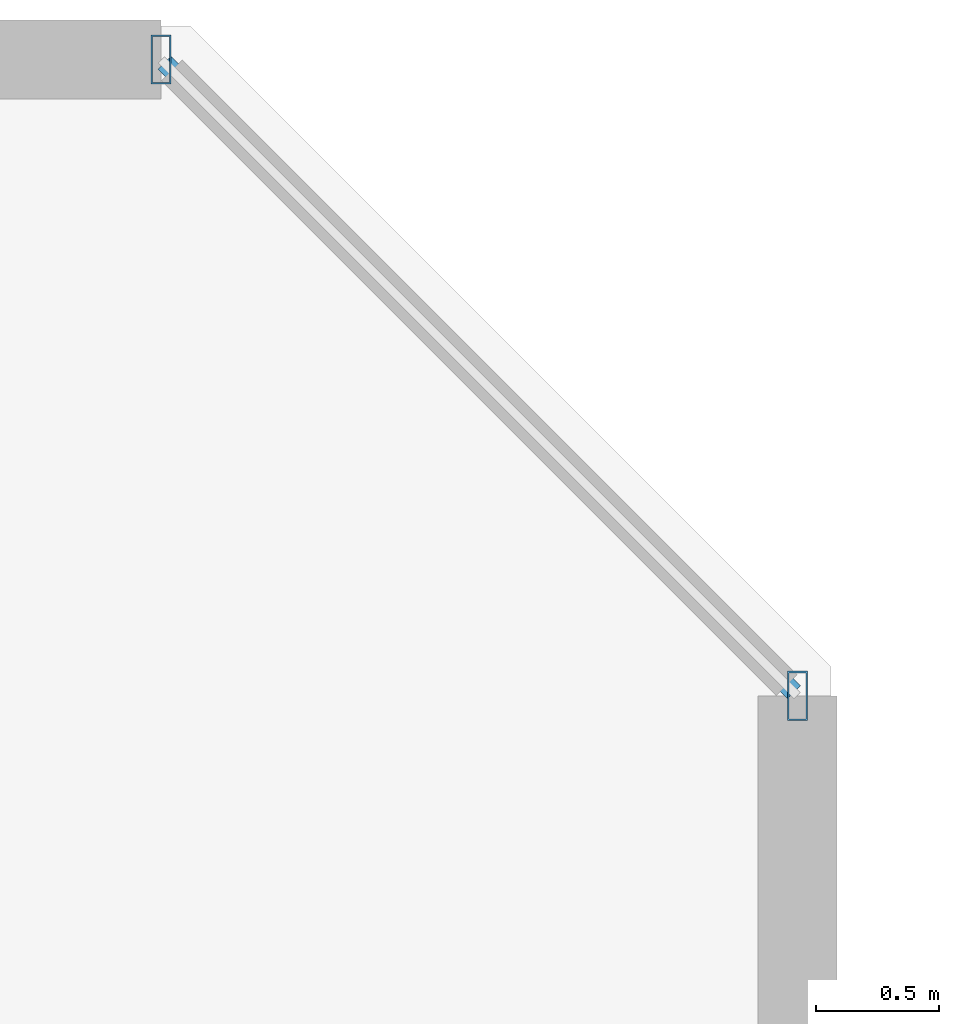
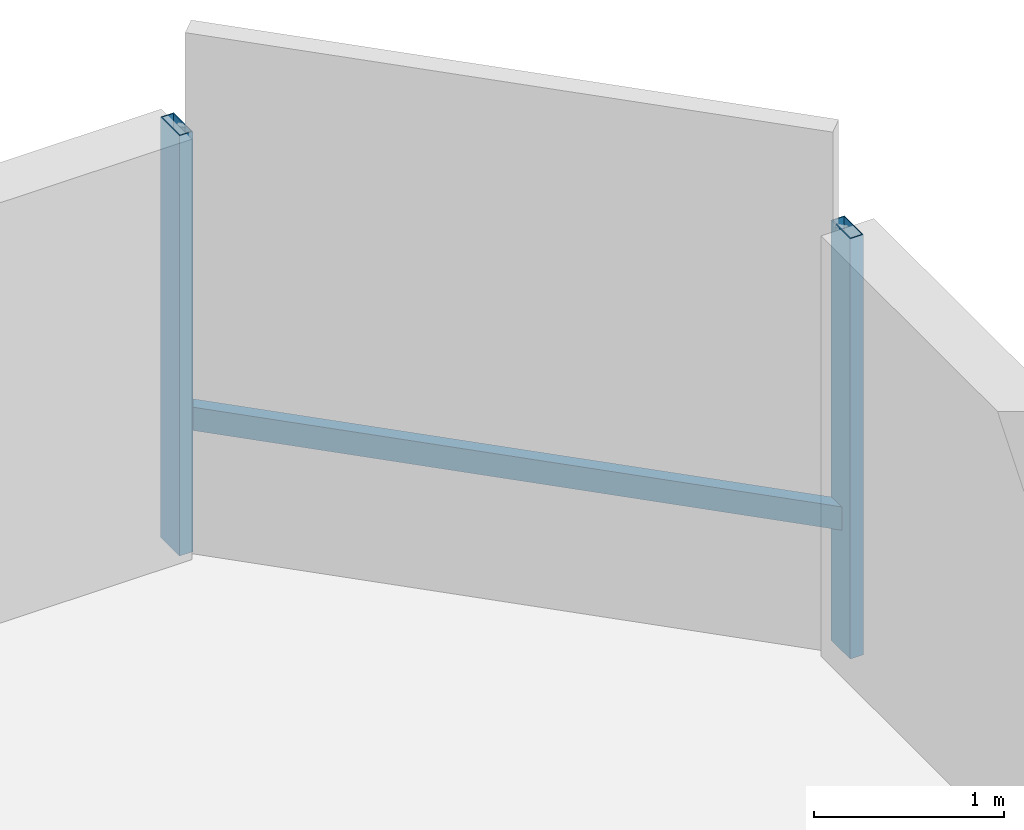
# One storey, part 16 of 31: 3 members, 1 element without a shape of its own.
"""IFC4 building model written with IfcOpenShell, lengths in metres."""

from ifc_helpers import new_model, si_unit, direction, frame, origin, origin_2d, place, context, subcontext, project, spatial, hollow_rectangle, extrude, material, material_profile, profile_set, type_object, element, aggregate, save


model = new_model("IFC4")

# Units and contexts
model_context = context("Model", 3, precision=1e-05, world=origin(), true_north=direction((0.0, 1.0)))
body_context = subcontext(model_context, "Body", "Model", "MODEL_VIEW")
ifc_project = project(units=[si_unit("LENGTHUNIT", "METRE"), si_unit("AREAUNIT", "SQUARE_METRE"), si_unit("VOLUMEUNIT", "CUBIC_METRE"), si_unit("PLANEANGLEUNIT", "RADIAN"), si_unit("MASSUNIT", "GRAM", prefix="KILO")], contexts=[model_context])

# Site, building, storey
site_placement = place(None, origin())
site = spatial("IfcSite", under=ifc_project, at=site_placement, CompositionType="ELEMENT")
building_placement = place(site_placement, origin())
building = spatial("IfcBuilding", under=site, at=building_placement, Name="Thornwick Lancets Civic Towers", CompositionType="ELEMENT")
storey_placement = place(building_placement, frame((0.0, 0.0, 126.89990234375)))
storey = spatial("IfcBuildingStorey", under=building, at=storey_placement, Name="L33", CompositionType="ELEMENT", Elevation=126.89990234375)

# Curtain wall, members
ifc_material_1 = material(Name="Mid-zone chamfered-corner unitised glass curtain wall", Category="glass")
curtain_wall_type = type_object("IfcCurtainWallType", Name="CW_SYS_04", PredefinedType="NOTDEFINED", material=ifc_material_1)
curtain_wall_placement = place(storey_placement, origin())
curtain_wall = element("IfcCurtainWall", 1, at=curtain_wall_placement, inside=storey, type_object=curtain_wall_type, Name="L33 Curtain Wall CW-L33-B-E3", PredefinedType="NOTDEFINED")
ifc_material_2 = material(Name="Thermally broken bronze aluminium S355", Category="steel")
ifc_material_profile_1 = material_profile(ifc_material_2, hollow_rectangle(XDim=0.080078125, YDim=0.199951171875, WallThickness=0.006103515625, at=origin_2d()), Name="RHS 200x80x6")
ifc_profile_set_1 = profile_set([ifc_material_profile_1], Name="Thermally broken bronze aluminium S355")
member_type_1 = type_object("IfcMemberType", Name="CW_MUL_200", PredefinedType="MULLION", material=ifc_profile_set_1)
member_1_placement = place(storey_placement, frame((112.2646484375, 42.181396484375, 0.0), z_axis=(0.0, 0.0, 1.0), x_axis=(1.0, 0.0, 0.0)))
member_1 = element("IfcMember", 2, at=member_1_placement, type_object=member_type_1, Name="CW-L33-B-E3 Mullion 0", PredefinedType="MULLION", context=body_context, shape_type="SweptSolid", body=[
    extrude(hollow_rectangle(XDim=0.080078125, YDim=0.199951171875, WallThickness=0.006103515625, at=origin_2d()), origin(), (0.0, 0.0, 1.0), 2.7001953125),
])
member_2_placement = place(storey_placement, frame((109.681396484375, 44.7646484375, 0.0), z_axis=(0.0, 0.0, 1.0), x_axis=(1.0, 0.0, 0.0)))
member_2 = element("IfcMember", 3, at=member_2_placement, type_object=member_type_1, Name="CW-L33-B-E3 Mullion 1", PredefinedType="MULLION", context=body_context, shape_type="SweptSolid", body=[
    extrude(hollow_rectangle(XDim=0.080078125, YDim=0.199951171875, WallThickness=0.006103515625, at=origin_2d()), origin(), (0.0, 0.0, 1.0), 2.7001953125),
])
ifc_material_profile_2 = material_profile(ifc_material_2, hollow_rectangle(XDim=0.074951171875, YDim=0.14990234375, WallThickness=0.0048828125, at=origin_2d()), Name="RHS 150x75x5")
ifc_profile_set_2 = profile_set([ifc_material_profile_2], Name="Thermally broken bronze aluminium S355")
member_type_2 = type_object("IfcMemberType", Name="CW_TRN_150", PredefinedType="USERDEFINED", material=ifc_profile_set_2)
member_3_placement = place(storey_placement, frame((112.25048828125, 42.195556640625, 0.85009765625), z_axis=(-0.707106781187, 0.707106781187, 0.0), x_axis=(-0.707106781187, -0.707106781187, 0.0)))
member_3 = element("IfcMember", 4, at=member_3_placement, type_object=member_type_2, Name="CW-L33-B-E3 Transom 0", ObjectType="TRANSOM", PredefinedType="USERDEFINED", context=body_context, shape_type="SweptSolid", body=[
    extrude(hollow_rectangle(XDim=0.074951171875, YDim=0.14990234375, WallThickness=0.0048828125, at=origin_2d()), origin(), (0.0, 0.0, 1.0), 3.61328125),
])
aggregate(curtain_wall, [member_1, member_2, member_3])

save(model, "model.ifc")
